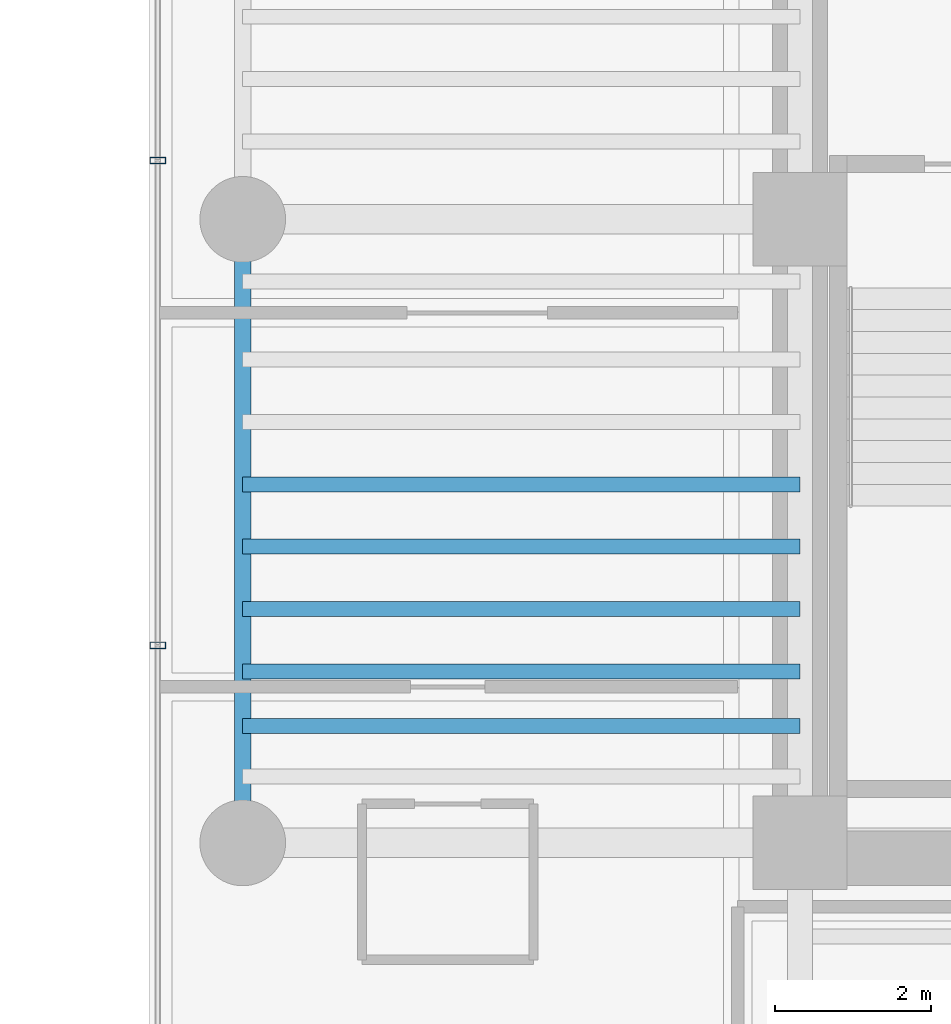
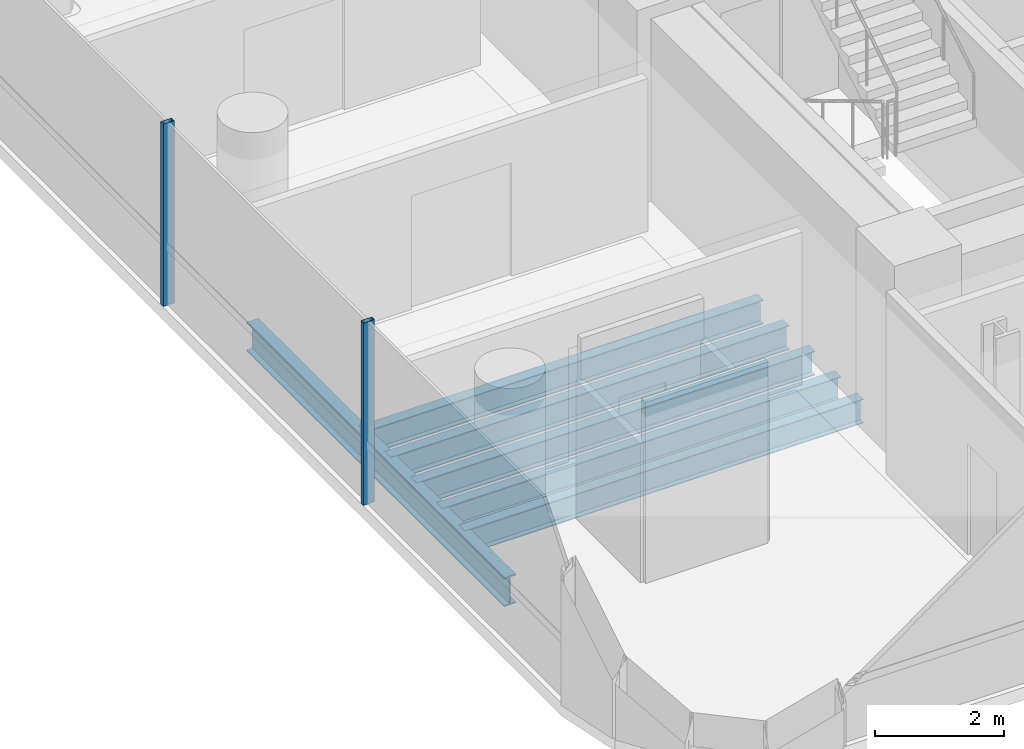
# One storey, part 4 of 35: 6 beams, 2 members, 1 element without a shape of its own.
"""IFC4 building model written with IfcOpenShell, lengths in metres."""

from ifc_helpers import new_model, si_unit, direction, frame, origin, origin_2d, place, context, subcontext, project, spatial, hollow_rectangle, i_section, extrude, source, transform, mapped, material, material_profile, profile_set, type_object, element, aggregate, save


model = new_model("IFC4")

# Units and contexts
model_context = context("Model", 3, precision=1e-05, world=origin(), true_north=direction((0.0, 1.0)))
body_context = subcontext(model_context, "Body", "Model", "MODEL_VIEW")
ifc_project = project(units=[si_unit("LENGTHUNIT", "METRE"), si_unit("AREAUNIT", "SQUARE_METRE"), si_unit("VOLUMEUNIT", "CUBIC_METRE"), si_unit("PLANEANGLEUNIT", "RADIAN"), si_unit("MASSUNIT", "GRAM", prefix="KILO")], contexts=[model_context])

# Site, building, storey
site_placement = place(None, origin())
site = spatial("IfcSite", under=ifc_project, at=site_placement, CompositionType="ELEMENT")
building_placement = place(site_placement, origin())
building = spatial("IfcBuilding", under=site, at=building_placement, Name="Valdorenza Pilgrim Sanctuary Tower", CompositionType="ELEMENT")
storey_placement = place(building_placement, frame((0.0, 0.0, 116.800048828125)))
storey = spatial("IfcBuildingStorey", under=building, at=storey_placement, Name="L29", CompositionType="ELEMENT", Elevation=116.800048828125)

# Beams
ifc_material_1 = material(Name="Steel ASTM A992 Grade 50", Category="steel")
ifc_material_profile_1 = material_profile(ifc_material_1, i_section(OverallWidth=0.214111328125, OverallDepth=0.549072265625, WebThickness=0.0146484375, FlangeThickness=0.023681640625, at=origin_2d()), Name="W21X93")
ifc_profile_set_1 = profile_set([ifc_material_profile_1], Name="Steel ASTM A992 Grade 50")
beam_type_1 = type_object("IfcBeamType", Name="STR-BM-SPN-W21A", PredefinedType="SPANDREL", material=ifc_profile_set_1)
shared_shape_1 = source(origin(), body_context, "Body", "SweptSolid", [
    extrude(i_section(OverallWidth=0.214111328125, OverallDepth=0.549072265625, WebThickness=0.0146484375, FlangeThickness=0.023681640625, at=origin_2d()), origin(), (0.0, 0.0, 1.0), 8.0),
])
beam_placement = place(storey_placement, frame((-29.800048828125, -10.60009765625, -0.5146484375), z_axis=(0.0, 1.0, 0.0), x_axis=(-1.0, 0.0, 0.0)))
element("IfcBeam", 1, at=beam_placement, inside=storey, type_object=beam_type_1, Name="L29 Spandrel Beam WA-W-S1M0", PredefinedType="SPANDREL", context=body_context, shape_type="MappedRepresentation", body=[
    mapped(shared_shape_1, transform((0.0, 0.0, 0.0), x_axis=(1.0, 0.0, 0.0), y_axis=(0.0, 1.0, 0.0), z_axis=(0.0, 0.0, 1.0), scale=1.0)),
])
ifc_material_profile_2 = material_profile(ifc_material_1, i_section(OverallWidth=0.19091796875, OverallDepth=0.45703125, WebThickness=0.009033203125, FlangeThickness=0.014404296875, at=origin_2d()), Name="W18X50")
ifc_profile_set_2 = profile_set([ifc_material_profile_2], Name="Steel ASTM A992 Grade 50")
beam_type_2 = type_object("IfcBeamType", Name="STR-BM-JST-W18B", PredefinedType="JOIST", material=ifc_profile_set_2)
shared_shape_2 = source(origin(), body_context, "Body", "SweptSolid", [
    extrude(i_section(OverallWidth=0.19091796875, OverallDepth=0.45703125, WebThickness=0.009033203125, FlangeThickness=0.014404296875, at=origin_2d()), origin(), (0.0, 0.0, 1.0), 7.150146484375),
])
for number, where, z_axis, x_axis, name in (
    (2, (-29.800048828125, -9.10009765625, -0.468505859375), (1.0, 0.0, 0.0), (0.0, 1.0, 0.0), "L29 Composite Floor Joist JST-WA-2"),
    (3, (-29.800048828125, -8.39990234375, -0.468505859375), (1.0, 0.0, 0.0), (0.0, 1.0, 0.0), "L29 Composite Floor Joist JST-WA-3"),
    (4, (-29.800048828125, -7.60009765625, -0.468505859375), (1.0, 0.0, 0.0), (0.0, 1.0, 0.0), "L29 Composite Floor Joist JST-WA-4"),
    (5, (-29.800048828125, -6.800048828125, -0.468505859375), (1.0, 0.0, 0.0), (0.0, 1.0, 0.0), "L29 Composite Floor Joist JST-WA-5"),
    (6, (-29.800048828125, -6.0, -0.468505859375), (1.0, 0.0, 0.0), (0.0, 1.0, 0.0), "L29 Composite Floor Joist JST-WA-6"),
):
    element("IfcBeam", number, at=place(storey_placement, frame(where, z_axis=z_axis, x_axis=x_axis)), inside=storey, type_object=beam_type_2, Name=name, PredefinedType="JOIST", context=body_context, shape_type="MappedRepresentation", body=[
        mapped(shared_shape_2, transform((0.0, 0.0, 0.0), x_axis=(1.0, 0.0, 0.0), y_axis=(0.0, 1.0, 0.0), z_axis=(0.0, 0.0, 1.0), scale=1.0)),
    ])

# Curtain wall, members
ifc_material_2 = material(Name="Curtain-wall IGU glazing", Category="glass")
curtain_wall_type = type_object("IfcCurtainWallType", Name="CW-SYS-02", PredefinedType="NOTDEFINED", material=ifc_material_2)
curtain_wall_placement = place(storey_placement, origin())
curtain_wall = element("IfcCurtainWall", 7, at=curtain_wall_placement, inside=storey, type_object=curtain_wall_type, Name="L29 Curtain Wall CW-L29-1-1S1", PredefinedType="NOTDEFINED")
ifc_material_3 = material(Name="Anodised aluminium AW-6060", Category="aluminium")
ifc_material_profile_3 = material_profile(ifc_material_3, hollow_rectangle(XDim=0.0849609375, YDim=0.199951171875, WallThickness=0.0048828125, at=origin_2d()), Name="ALU-M 200x85x5")
ifc_profile_set_3 = profile_set([ifc_material_profile_3], Name="Anodised aluminium AW-6060")
member_type = type_object("IfcMemberType", Name="CW-MUL-02", PredefinedType="MULLION", material=ifc_profile_set_3)
shared_shape_3 = source(origin(), body_context, "Body", "SweptSolid", [
    extrude(hollow_rectangle(XDim=0.0849609375, YDim=0.199951171875, WallThickness=0.0048828125, at=origin_2d()), origin(), (0.0, 0.0, 1.0), 3.4599609375),
])
member_1_placement = place(storey_placement, frame((-30.889892578125, -8.06689453125, 0.0), z_axis=(0.0, 0.0, 1.0), x_axis=(0.0, 1.0, 0.0)))
member_1 = element("IfcMember", 8, at=member_1_placement, type_object=member_type, Name="CW-L29-1-1S1 Mullion 2", PredefinedType="MULLION", context=body_context, shape_type="MappedRepresentation", body=[
    mapped(shared_shape_3, transform((0.0, 0.0, 0.0), x_axis=(1.0, 0.0, 0.0), y_axis=(0.0, 1.0, 0.0), z_axis=(0.0, 0.0, 1.0), scale=1.0)),
])
member_2_placement = place(storey_placement, frame((-30.889892578125, -1.844482421875, 0.0), z_axis=(0.0, 0.0, 1.0), x_axis=(0.0, 1.0, 0.0)))
member_2 = element("IfcMember", 9, at=member_2_placement, type_object=member_type, Name="CW-L29-1-1S1 Mullion 3", PredefinedType="MULLION", context=body_context, shape_type="MappedRepresentation", body=[
    mapped(shared_shape_3, transform((0.0, 0.0, 0.0), x_axis=(1.0, 0.0, 0.0), y_axis=(0.0, 1.0, 0.0), z_axis=(0.0, 0.0, 1.0), scale=1.0)),
])
aggregate(curtain_wall, [member_1, member_2])

save(model, "model.ifc")
